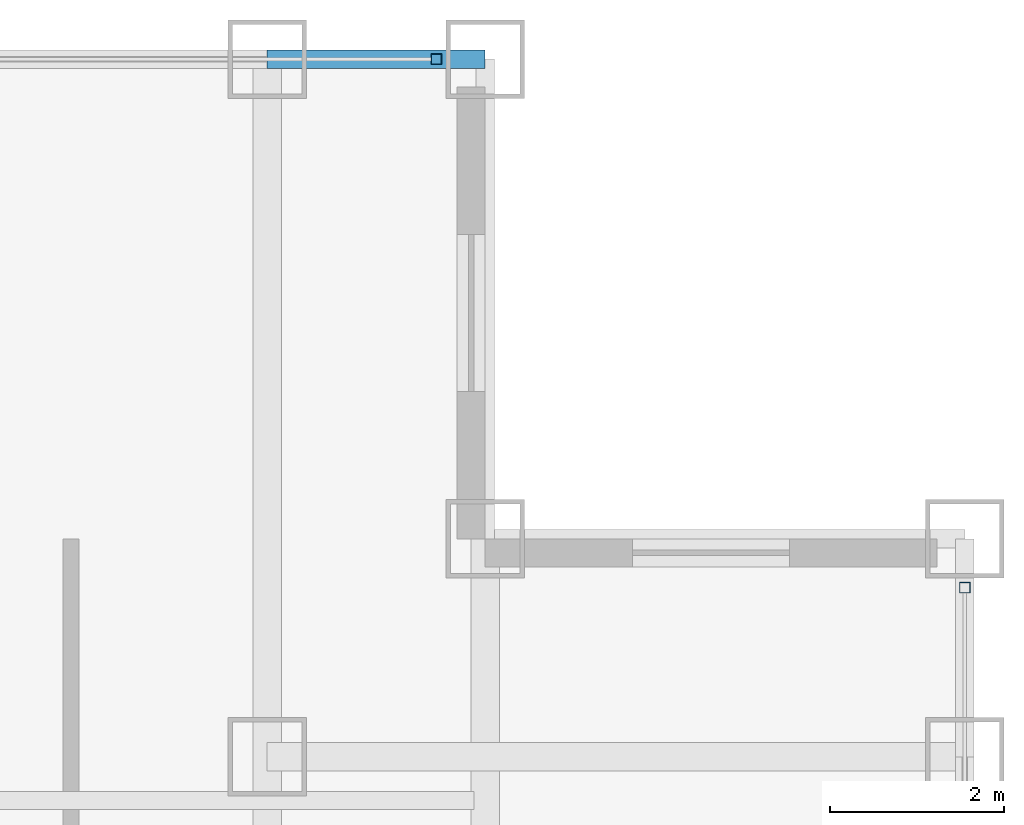
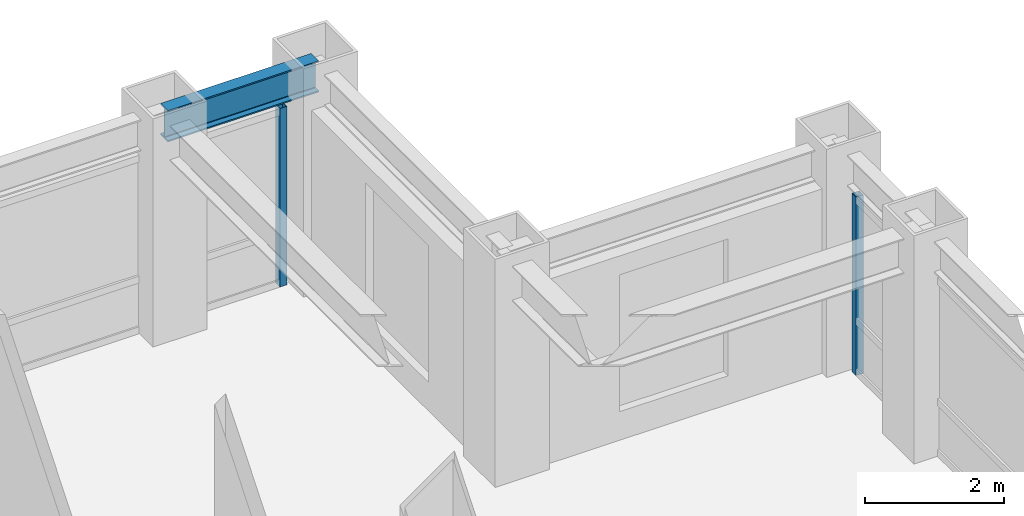
# One storey, part 16 of 22: 2 members, 1 beam, 2 elements without a shape of their own.
"""IFC4 building model written with IfcOpenShell, lengths in metres."""

from ifc_helpers import new_model, si_unit, direction, frame, origin, origin_2d, place, context, subcontext, project, spatial, hollow_rectangle, i_section, extrude, source, transform, mapped, material, material_profile, profile_set, type_object, element, aggregate, save


model = new_model("IFC4")

# Units and contexts
model_context = context("Model", 3, precision=1e-05, world=origin(), true_north=direction((0.0, 1.0)))
body_context = subcontext(model_context, "Body", "Model", "MODEL_VIEW")
ifc_project = project(units=[si_unit("LENGTHUNIT", "METRE"), si_unit("AREAUNIT", "SQUARE_METRE"), si_unit("VOLUMEUNIT", "CUBIC_METRE"), si_unit("PLANEANGLEUNIT", "RADIAN"), si_unit("MASSUNIT", "GRAM", prefix="KILO")], contexts=[model_context])

# Site, building, storey
site_placement = place(None, origin())
site = spatial("IfcSite", under=ifc_project, at=site_placement, CompositionType="ELEMENT")
building_placement = place(site_placement, origin())
building = spatial("IfcBuilding", under=site, at=building_placement, Name="Khorayat Bourse Tower", CompositionType="ELEMENT")
storey_placement = place(building_placement, frame((0.0, 0.0, 289.5)))
storey = spatial("IfcBuildingStorey", under=building, at=storey_placement, Name="L68", CompositionType="ELEMENT", Elevation=289.5)

# Beam
ifc_material_1 = material(Name="Steel ASTM A992 Grade 50", Category="steel")
ifc_material_profile_1 = material_profile(ifc_material_1, i_section(OverallWidth=0.214111328125, OverallDepth=0.549072265625, WebThickness=0.0146484375, FlangeThickness=0.023681640625, FilletRadius=0.013916015625, at=origin_2d()), Name="W530X138")
ifc_profile_set_1 = profile_set([ifc_material_profile_1], Name="Steel ASTM A992 Grade 50")
beam_type = type_object("IfcBeamType", Name="BM-SPAN-530", PredefinedType="SPANDREL", material=ifc_profile_set_1)
shared_shape_1 = source(origin(), body_context, "Body", "SweptSolid", [
    extrude(i_section(OverallWidth=0.214111328125, OverallDepth=0.549072265625, WebThickness=0.0146484375, FlangeThickness=0.023681640625, FilletRadius=0.013916015625, at=origin_2d()), origin(), (0.0, 0.0, 1.0), 2.5),
])
beam_placement = place(storey_placement, frame((20.0, 28.0, 3.505615234375), z_axis=(1.0, 0.0, 0.0), x_axis=(0.0, 1.0, 0.0)))
element("IfcBeam", 1, at=beam_placement, inside=storey, type_object=beam_type, Name="L68 BM-SPAN-530 BM-L68-SPN-044", PredefinedType="SPANDREL", context=body_context, shape_type="MappedRepresentation", body=[
    mapped(shared_shape_1, transform((0.0, 0.0, 0.0), scale=1.0)),
])

# Curtain wall, member
ifc_material_2 = material(Name="Aluminium EN AW-6063 T6", Category="aluminium")
curtain_wall_type = type_object("IfcCurtainWallType", Name="CW-SYS-04", PredefinedType="NOTDEFINED", material=ifc_material_2)
curtain_wall_1_placement = place(storey_placement, origin())
curtain_wall_1 = element("IfcCurtainWall", 2, at=curtain_wall_1_placement, inside=storey, type_object=curtain_wall_type, Name="L68 Curtain Wall CW-L68-N1", PredefinedType="NOTDEFINED")
ifc_material_profile_2 = material_profile(ifc_material_2, hollow_rectangle(XDim=0.1201171875, YDim=0.1201171875, WallThickness=0.0048828125, at=origin_2d()), Name="ALU 120x120x5")
ifc_profile_set_2 = profile_set([ifc_material_profile_2], Name="Aluminium EN AW-6063 T6")
member_type = type_object("IfcMemberType", Name="CWM-VERT-120", PredefinedType="MULLION", material=ifc_profile_set_2)
shared_shape_2 = source(origin(), body_context, "Body", "SweptSolid", [
    extrude(hollow_rectangle(XDim=0.1201171875, YDim=0.1201171875, WallThickness=0.0048828125, at=origin_2d()), origin(), (0.0, 0.0, 1.0), 3.1298828125),
])
member_1_placement = place(storey_placement, frame((21.93994140625, 28.0, 0.0), z_axis=(0.0, 0.0, 1.0), x_axis=(0.0, 1.0, 0.0)))
member_1 = element("IfcMember", 3, at=member_1_placement, type_object=member_type, Name="CW-L68-N1 Vertical Mullion 3", PredefinedType="MULLION", context=body_context, shape_type="MappedRepresentation", body=[
    mapped(shared_shape_2, transform((0.0, 0.0, 0.0), scale=1.0)),
])
aggregate(curtain_wall_1, [member_1])

curtain_wall_2_placement = place(storey_placement, origin())
curtain_wall_2 = element("IfcCurtainWall", 4, at=curtain_wall_2_placement, inside=storey, type_object=curtain_wall_type, Name="L68 Curtain Wall CW-L68-E1", PredefinedType="NOTDEFINED")
member_2_placement = place(storey_placement, frame((28.0, 21.93994140625, 0.0), z_axis=(0.0, 0.0, 1.0), x_axis=(-1.0, 0.0, 0.0)))
member_2 = element("IfcMember", 5, at=member_2_placement, type_object=member_type, Name="CW-L68-E1 Vertical Mullion 3", PredefinedType="MULLION", context=body_context, shape_type="MappedRepresentation", body=[
    mapped(shared_shape_2, transform((0.0, 0.0, 0.0), scale=1.0)),
])
aggregate(curtain_wall_2, [member_2])

save(model, "model.ifc")
